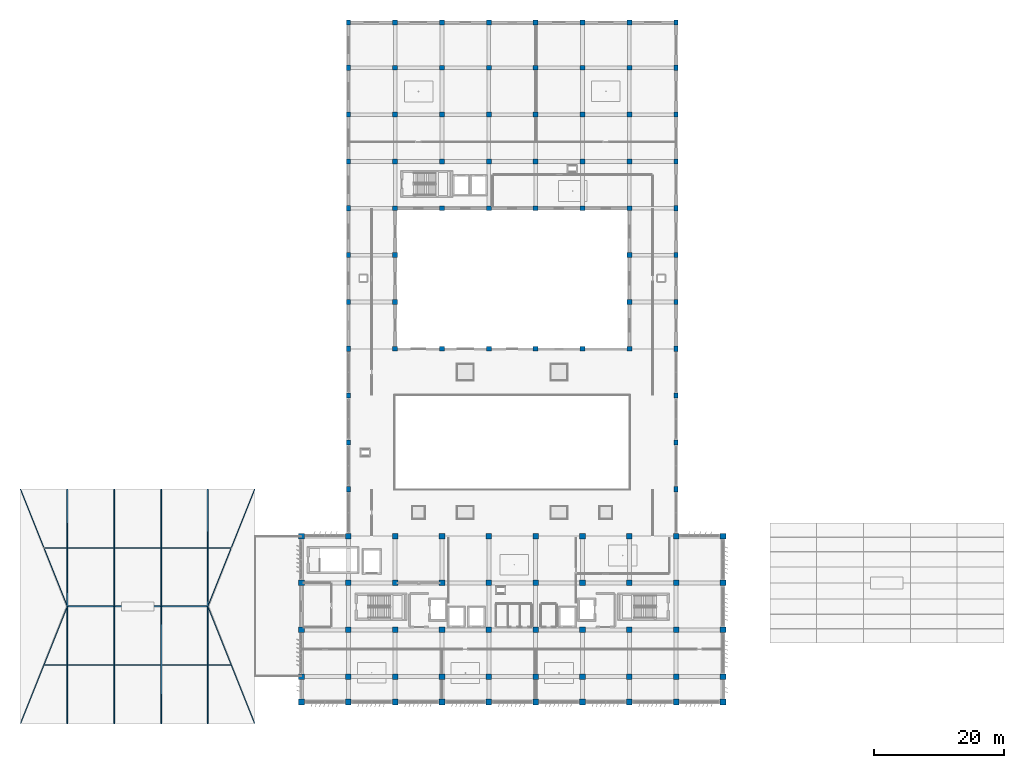
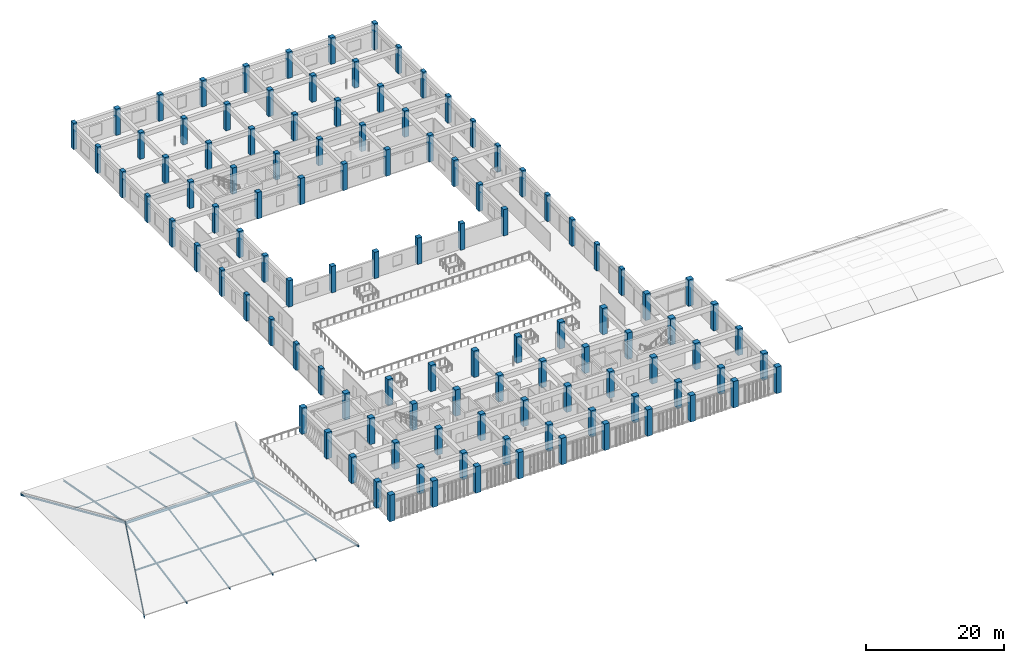
# One storey, part 1 of 55: 112 columns, 14 members, 1 beam.
"""IFC4 building model written with IfcOpenShell, lengths in metres."""

from ifc_helpers import new_model, si_unit, direction, frame, origin, origin_2d, place, context, subcontext, project, spatial, rectangle, hollow_circle, i_section, extrude, material, material_profile, profile_set, type_object, element, save


model = new_model("IFC4")

# Units and contexts
model_context = context("Model", 3, precision=1e-05, world=origin(), true_north=direction((0.0, 1.0)))
body_context = subcontext(model_context, "Body", "Model", "MODEL_VIEW")
ifc_project = project(units=[si_unit("LENGTHUNIT", "METRE"), si_unit("AREAUNIT", "SQUARE_METRE"), si_unit("VOLUMEUNIT", "CUBIC_METRE"), si_unit("PLANEANGLEUNIT", "RADIAN"), si_unit("MASSUNIT", "GRAM", prefix="KILO")], contexts=[model_context])

# Site, building, storey
site_placement = place(None, origin())
site = spatial("IfcSite", under=ifc_project, at=site_placement, CompositionType="ELEMENT")
building_placement = place(site_placement, origin())
building = spatial("IfcBuilding", under=site, at=building_placement, Name="Kazehaya Institute of Natural Sciences", CompositionType="ELEMENT")
storey_placement = place(building_placement, frame((0.0, 0.0, 15.1201171875)))
storey = spatial("IfcBuildingStorey", under=building, at=storey_placement, Name="L03", CompositionType="ELEMENT", Elevation=15.1201171875)

# Columns
ifc_material_1 = material(Name="Concrete Fc42", Category="concrete")
ifc_material_profile_1 = material_profile(ifc_material_1, rectangle(XDim=0.75, YDim=0.75, at=origin_2d()), Name="RC-750x750")
ifc_profile_set_1 = profile_set([ifc_material_profile_1], Name="Concrete Fc42")
column_type_1 = type_object("IfcColumnType", Name="COL-RC750", PredefinedType="COLUMN", material=ifc_profile_set_1)
for number, where, z_axis, x_axis, name in (
    (1, (69.0, 64.39990234375, 0.0), (0.0, 0.0, 1.0), (1.0, 0.0, 0.0), "L03 column COL-L03-0858"),
    (2, (76.199951171875, 64.39990234375, 0.0), (0.0, 0.0, 1.0), (1.0, 0.0, 0.0), "L03 column COL-L03-0859"),
    (3, (83.39990234375, 64.39990234375, 0.0), (0.0, 0.0, 1.0), (1.0, 0.0, 0.0), "L03 column COL-L03-0860"),
    (4, (90.60009765625, 64.39990234375, 0.0), (0.0, 0.0, 1.0), (1.0, 0.0, 0.0), "L03 column COL-L03-0861"),
    (5, (97.800048828125, 64.39990234375, 0.0), (0.0, 0.0, 1.0), (1.0, 0.0, 0.0), "L03 column COL-L03-0862"),
    (6, (105.0, 64.39990234375, 0.0), (0.0, 0.0, 1.0), (1.0, 0.0, 0.0), "L03 column COL-L03-0863"),
    (7, (69.0, 71.60009765625, 0.0), (0.0, 0.0, 1.0), (1.0, 0.0, 0.0), "L03 column COL-L03-0866"),
    (8, (105.0, 71.60009765625, 0.0), (0.0, 0.0, 1.0), (1.0, 0.0, 0.0), "L03 column COL-L03-0867"),
    (9, (69.0, 78.800048828125, 0.0), (0.0, 0.0, 1.0), (1.0, 0.0, 0.0), "L03 column COL-L03-0870"),
    (10, (105.0, 78.800048828125, 0.0), (0.0, 0.0, 1.0), (1.0, 0.0, 0.0), "L03 column COL-L03-0871"),
    (11, (69.0, 86.0, 0.0), (0.0, 0.0, 1.0), (1.0, 0.0, 0.0), "L03 column COL-L03-0874"),
    (12, (76.199951171875, 86.0, 0.0), (0.0, 0.0, 1.0), (1.0, 0.0, 0.0), "L03 column COL-L03-0875"),
    (13, (83.39990234375, 86.0, 0.0), (0.0, 0.0, 1.0), (1.0, 0.0, 0.0), "L03 column COL-L03-0876"),
    (14, (90.60009765625, 86.0, 0.0), (0.0, 0.0, 1.0), (1.0, 0.0, 0.0), "L03 column COL-L03-0877"),
    (15, (97.800048828125, 86.0, 0.0), (0.0, 0.0, 1.0), (1.0, 0.0, 0.0), "L03 column COL-L03-0878"),
    (16, (105.0, 86.0, 0.0), (0.0, 0.0, 1.0), (1.0, 0.0, 0.0), "L03 column COL-L03-0879"),
    (17, (69.0, 93.199951171875, 0.0), (0.0, 0.0, 1.0), (1.0, 0.0, 0.0), "L03 column COL-L03-0882"),
    (18, (76.199951171875, 93.199951171875, 0.0), (0.0, 0.0, 1.0), (1.0, 0.0, 0.0), "L03 column COL-L03-0883"),
    (19, (83.39990234375, 93.199951171875, 0.0), (0.0, 0.0, 1.0), (1.0, 0.0, 0.0), "L03 column COL-L03-0884"),
    (20, (90.60009765625, 93.199951171875, 0.0), (0.0, 0.0, 1.0), (1.0, 0.0, 0.0), "L03 column COL-L03-0885"),
    (21, (97.800048828125, 93.199951171875, 0.0), (0.0, 0.0, 1.0), (1.0, 0.0, 0.0), "L03 column COL-L03-0886"),
    (22, (105.0, 93.199951171875, 0.0), (0.0, 0.0, 1.0), (1.0, 0.0, 0.0), "L03 column COL-L03-0887"),
    (23, (69.0, 100.39990234375, 0.0), (0.0, 0.0, 1.0), (1.0, 0.0, 0.0), "L03 column COL-L03-0890"),
    (24, (76.199951171875, 100.39990234375, 0.0), (0.0, 0.0, 1.0), (1.0, 0.0, 0.0), "L03 column COL-L03-0891"),
    (25, (83.39990234375, 100.39990234375, 0.0), (0.0, 0.0, 1.0), (1.0, 0.0, 0.0), "L03 column COL-L03-0892"),
    (26, (90.60009765625, 100.39990234375, 0.0), (0.0, 0.0, 1.0), (1.0, 0.0, 0.0), "L03 column COL-L03-0893"),
    (27, (97.800048828125, 100.39990234375, 0.0), (0.0, 0.0, 1.0), (1.0, 0.0, 0.0), "L03 column COL-L03-0894"),
    (28, (105.0, 100.39990234375, 0.0), (0.0, 0.0, 1.0), (1.0, 0.0, 0.0), "L03 column COL-L03-0895"),
    (29, (69.0, 107.60009765625, 0.0), (0.0, 0.0, 1.0), (1.0, 0.0, 0.0), "L03 column COL-L03-0898"),
    (30, (76.199951171875, 107.60009765625, 0.0), (0.0, 0.0, 1.0), (1.0, 0.0, 0.0), "L03 column COL-L03-0899"),
    (31, (83.39990234375, 107.60009765625, 0.0), (0.0, 0.0, 1.0), (1.0, 0.0, 0.0), "L03 column COL-L03-0900"),
    (32, (90.60009765625, 107.60009765625, 0.0), (0.0, 0.0, 1.0), (1.0, 0.0, 0.0), "L03 column COL-L03-0901"),
    (33, (97.800048828125, 107.60009765625, 0.0), (0.0, 0.0, 1.0), (1.0, 0.0, 0.0), "L03 column COL-L03-0902"),
    (34, (105.0, 107.60009765625, 0.0), (0.0, 0.0, 1.0), (1.0, 0.0, 0.0), "L03 column COL-L03-0903"),
    (35, (69.0, 114.550048828125, 0.0), (0.0, 0.0, 1.0), (1.0, 0.0, 0.0), "L03 column COL-L03-0906"),
    (36, (76.199951171875, 114.550048828125, 0.0), (0.0, 0.0, 1.0), (1.0, 0.0, 0.0), "L03 column COL-L03-0907"),
    (37, (83.39990234375, 114.550048828125, 0.0), (0.0, 0.0, 1.0), (1.0, 0.0, 0.0), "L03 column COL-L03-0908"),
    (38, (90.60009765625, 114.550048828125, 0.0), (0.0, 0.0, 1.0), (1.0, 0.0, 0.0), "L03 column COL-L03-0909"),
    (39, (97.800048828125, 114.550048828125, 0.0), (0.0, 0.0, 1.0), (1.0, 0.0, 0.0), "L03 column COL-L03-0910"),
    (40, (105.0, 114.550048828125, 0.0), (0.0, 0.0, 1.0), (1.0, 0.0, 0.0), "L03 column COL-L03-0911"),
):
    element("IfcColumn", number, at=place(storey_placement, frame(where, z_axis=z_axis, x_axis=x_axis)), inside=storey, type_object=column_type_1, Name=name, PredefinedType="COLUMN", context=body_context, shape_type="SweptSolid", body=[
        extrude(rectangle(XDim=0.75, YDim=0.75, at=origin_2d()), origin(), (0.0, 0.0, 1.0), 4.679931640625),
    ])
ifc_material_profile_2 = material_profile(ifc_material_1, rectangle(XDim=0.60009765625, YDim=0.800048828125, at=origin_2d()), Name="RC-800x600")
ifc_profile_set_2 = profile_set([ifc_material_profile_2], Name="Concrete Fc42")
column_type_2 = type_object("IfcColumnType", Name="COL-RC800x600", PredefinedType="COLUMN", material=ifc_profile_set_2)
for number, where, z_axis, x_axis, name in (
    (41, (61.800048828125, 42.800048828125, 0.0), (0.0, 0.0, 1.0), (1.0, 0.0, 0.0), "L03 column COL-L03-0851"),
    (42, (112.199951171875, 42.800048828125, 0.0), (0.0, 0.0, 1.0), (1.0, 0.0, 0.0), "L03 column COL-L03-0852"),
    (43, (61.800048828125, 50.0, 0.0), (0.0, 0.0, 1.0), (1.0, 0.0, 0.0), "L03 column COL-L03-0853"),
    (44, (112.199951171875, 50.0, 0.0), (0.0, 0.0, 1.0), (1.0, 0.0, 0.0), "L03 column COL-L03-0854"),
    (45, (61.800048828125, 57.199951171875, 0.0), (0.0, 0.0, 1.0), (1.0, 0.0, 0.0), "L03 column COL-L03-0855"),
    (46, (112.199951171875, 57.199951171875, 0.0), (0.0, 0.0, 1.0), (1.0, 0.0, 0.0), "L03 column COL-L03-0856"),
    (47, (61.800048828125, 64.39990234375, 0.0), (0.0, 0.0, 1.0), (1.0, 0.0, 0.0), "L03 column COL-L03-0857"),
    (48, (112.199951171875, 64.39990234375, 0.0), (0.0, 0.0, 1.0), (1.0, 0.0, 0.0), "L03 column COL-L03-0864"),
    (49, (61.800048828125, 71.60009765625, 0.0), (0.0, 0.0, 1.0), (1.0, 0.0, 0.0), "L03 column COL-L03-0865"),
    (50, (112.199951171875, 71.60009765625, 0.0), (0.0, 0.0, 1.0), (1.0, 0.0, 0.0), "L03 column COL-L03-0868"),
    (51, (61.800048828125, 78.800048828125, 0.0), (0.0, 0.0, 1.0), (1.0, 0.0, 0.0), "L03 column COL-L03-0869"),
    (52, (112.199951171875, 78.800048828125, 0.0), (0.0, 0.0, 1.0), (1.0, 0.0, 0.0), "L03 column COL-L03-0872"),
    (53, (61.800048828125, 86.0, 0.0), (0.0, 0.0, 1.0), (1.0, 0.0, 0.0), "L03 column COL-L03-0873"),
    (54, (112.199951171875, 86.0, 0.0), (0.0, 0.0, 1.0), (1.0, 0.0, 0.0), "L03 column COL-L03-0880"),
    (55, (61.800048828125, 93.199951171875, 0.0), (0.0, 0.0, 1.0), (1.0, 0.0, 0.0), "L03 column COL-L03-0881"),
    (56, (112.199951171875, 93.199951171875, 0.0), (0.0, 0.0, 1.0), (1.0, 0.0, 0.0), "L03 column COL-L03-0888"),
    (57, (61.800048828125, 100.39990234375, 0.0), (0.0, 0.0, 1.0), (1.0, 0.0, 0.0), "L03 column COL-L03-0889"),
    (58, (112.199951171875, 100.39990234375, 0.0), (0.0, 0.0, 1.0), (1.0, 0.0, 0.0), "L03 column COL-L03-0896"),
    (59, (61.800048828125, 107.60009765625, 0.0), (0.0, 0.0, 1.0), (1.0, 0.0, 0.0), "L03 column COL-L03-0897"),
    (60, (112.199951171875, 107.60009765625, 0.0), (0.0, 0.0, 1.0), (1.0, 0.0, 0.0), "L03 column COL-L03-0904"),
    (61, (61.800048828125, 114.550048828125, 0.0), (0.0, 0.0, 1.0), (1.0, 0.0, 0.0), "L03 column COL-L03-0905"),
    (62, (112.199951171875, 114.550048828125, 0.0), (0.0, 0.0, 1.0), (1.0, 0.0, 0.0), "L03 column COL-L03-0912"),
):
    element("IfcColumn", number, at=place(storey_placement, frame(where, z_axis=z_axis, x_axis=x_axis)), inside=storey, type_object=column_type_2, Name=name, PredefinedType="COLUMN", context=body_context, shape_type="SweptSolid", body=[
        extrude(rectangle(XDim=0.60009765625, YDim=0.800048828125, at=origin_2d()), origin(), (0.0, 0.0, 1.0), 4.679931640625),
    ])
ifc_material_profile_3 = material_profile(ifc_material_1, rectangle(XDim=0.85009765625, YDim=0.85009765625, at=origin_2d()), Name="RC-850x850")
ifc_profile_set_3 = profile_set([ifc_material_profile_3], Name="Concrete Fc42")
column_type_3 = type_object("IfcColumnType", Name="COL-RC850", PredefinedType="COLUMN", material=ifc_profile_set_3)
for number, where, z_axis, x_axis, name in (
    (63, (54.60009765625, 10.10009765625, 0.0), (0.0, 0.0, 1.0), (1.0, 0.0, 0.0), "L03 column COL-L03-0801"),
    (64, (61.800048828125, 10.10009765625, 0.0), (0.0, 0.0, 1.0), (1.0, 0.0, 0.0), "L03 column COL-L03-0802"),
    (65, (69.0, 10.10009765625, 0.0), (0.0, 0.0, 1.0), (1.0, 0.0, 0.0), "L03 column COL-L03-0803"),
    (66, (76.199951171875, 10.10009765625, 0.0), (0.0, 0.0, 1.0), (1.0, 0.0, 0.0), "L03 column COL-L03-0804"),
    (67, (83.39990234375, 10.10009765625, 0.0), (0.0, 0.0, 1.0), (1.0, 0.0, 0.0), "L03 column COL-L03-0805"),
    (68, (90.60009765625, 10.10009765625, 0.0), (0.0, 0.0, 1.0), (1.0, 0.0, 0.0), "L03 column COL-L03-0806"),
    (69, (97.800048828125, 10.10009765625, 0.0), (0.0, 0.0, 1.0), (1.0, 0.0, 0.0), "L03 column COL-L03-0807"),
    (70, (105.0, 10.10009765625, 0.0), (0.0, 0.0, 1.0), (1.0, 0.0, 0.0), "L03 column COL-L03-0808"),
    (71, (112.199951171875, 10.10009765625, 0.0), (0.0, 0.0, 1.0), (1.0, 0.0, 0.0), "L03 column COL-L03-0809"),
    (72, (119.39990234375, 10.10009765625, 0.0), (0.0, 0.0, 1.0), (1.0, 0.0, 0.0), "L03 column COL-L03-0810"),
    (73, (54.60009765625, 14.0, 0.0), (0.0, 0.0, 1.0), (1.0, 0.0, 0.0), "L03 column COL-L03-0811"),
    (74, (61.800048828125, 14.0, 0.0), (0.0, 0.0, 1.0), (1.0, 0.0, 0.0), "L03 column COL-L03-0812"),
    (75, (69.0, 14.0, 0.0), (0.0, 0.0, 1.0), (1.0, 0.0, 0.0), "L03 column COL-L03-0813"),
    (76, (76.199951171875, 14.0, 0.0), (0.0, 0.0, 1.0), (1.0, 0.0, 0.0), "L03 column COL-L03-0814"),
    (77, (83.39990234375, 14.0, 0.0), (0.0, 0.0, 1.0), (1.0, 0.0, 0.0), "L03 column COL-L03-0815"),
    (78, (90.60009765625, 14.0, 0.0), (0.0, 0.0, 1.0), (1.0, 0.0, 0.0), "L03 column COL-L03-0816"),
    (79, (97.800048828125, 14.0, 0.0), (0.0, 0.0, 1.0), (1.0, 0.0, 0.0), "L03 column COL-L03-0817"),
    (80, (105.0, 14.0, 0.0), (0.0, 0.0, 1.0), (1.0, 0.0, 0.0), "L03 column COL-L03-0818"),
    (81, (112.199951171875, 14.0, 0.0), (0.0, 0.0, 1.0), (1.0, 0.0, 0.0), "L03 column COL-L03-0819"),
    (82, (119.39990234375, 14.0, 0.0), (0.0, 0.0, 1.0), (1.0, 0.0, 0.0), "L03 column COL-L03-0820"),
    (83, (54.60009765625, 21.199951171875, 0.0), (0.0, 0.0, 1.0), (1.0, 0.0, 0.0), "L03 column COL-L03-0821"),
    (84, (61.800048828125, 21.199951171875, 0.0), (0.0, 0.0, 1.0), (1.0, 0.0, 0.0), "L03 column COL-L03-0822"),
    (85, (69.0, 21.199951171875, 0.0), (0.0, 0.0, 1.0), (1.0, 0.0, 0.0), "L03 column COL-L03-0823"),
    (86, (76.199951171875, 21.199951171875, 0.0), (0.0, 0.0, 1.0), (1.0, 0.0, 0.0), "L03 column COL-L03-0824"),
    (87, (83.39990234375, 21.199951171875, 0.0), (0.0, 0.0, 1.0), (1.0, 0.0, 0.0), "L03 column COL-L03-0825"),
    (88, (90.60009765625, 21.199951171875, 0.0), (0.0, 0.0, 1.0), (1.0, 0.0, 0.0), "L03 column COL-L03-0826"),
    (89, (97.800048828125, 21.199951171875, 0.0), (0.0, 0.0, 1.0), (1.0, 0.0, 0.0), "L03 column COL-L03-0827"),
    (90, (105.0, 21.199951171875, 0.0), (0.0, 0.0, 1.0), (1.0, 0.0, 0.0), "L03 column COL-L03-0828"),
    (91, (112.199951171875, 21.199951171875, 0.0), (0.0, 0.0, 1.0), (1.0, 0.0, 0.0), "L03 column COL-L03-0829"),
    (92, (119.39990234375, 21.199951171875, 0.0), (0.0, 0.0, 1.0), (1.0, 0.0, 0.0), "L03 column COL-L03-0830"),
    (93, (54.60009765625, 28.39990234375, 0.0), (0.0, 0.0, 1.0), (1.0, 0.0, 0.0), "L03 column COL-L03-0831"),
    (94, (61.800048828125, 28.39990234375, 0.0), (0.0, 0.0, 1.0), (1.0, 0.0, 0.0), "L03 column COL-L03-0832"),
    (95, (69.0, 28.39990234375, 0.0), (0.0, 0.0, 1.0), (1.0, 0.0, 0.0), "L03 column COL-L03-0833"),
    (96, (76.199951171875, 28.39990234375, 0.0), (0.0, 0.0, 1.0), (1.0, 0.0, 0.0), "L03 column COL-L03-0834"),
    (97, (83.39990234375, 28.39990234375, 0.0), (0.0, 0.0, 1.0), (1.0, 0.0, 0.0), "L03 column COL-L03-0835"),
    (98, (90.60009765625, 28.39990234375, 0.0), (0.0, 0.0, 1.0), (1.0, 0.0, 0.0), "L03 column COL-L03-0836"),
    (99, (97.800048828125, 28.39990234375, 0.0), (0.0, 0.0, 1.0), (1.0, 0.0, 0.0), "L03 column COL-L03-0837"),
    (100, (105.0, 28.39990234375, 0.0), (0.0, 0.0, 1.0), (1.0, 0.0, 0.0), "L03 column COL-L03-0838"),
    (101, (112.199951171875, 28.39990234375, 0.0), (0.0, 0.0, 1.0), (1.0, 0.0, 0.0), "L03 column COL-L03-0839"),
    (102, (119.39990234375, 28.39990234375, 0.0), (0.0, 0.0, 1.0), (1.0, 0.0, 0.0), "L03 column COL-L03-0840"),
    (103, (54.60009765625, 35.60009765625, 0.0), (0.0, 0.0, 1.0), (1.0, 0.0, 0.0), "L03 column COL-L03-0841"),
    (104, (61.800048828125, 35.60009765625, 0.0), (0.0, 0.0, 1.0), (1.0, 0.0, 0.0), "L03 column COL-L03-0842"),
    (105, (69.0, 35.60009765625, 0.0), (0.0, 0.0, 1.0), (1.0, 0.0, 0.0), "L03 column COL-L03-0843"),
    (106, (76.199951171875, 35.60009765625, 0.0), (0.0, 0.0, 1.0), (1.0, 0.0, 0.0), "L03 column COL-L03-0844"),
    (107, (83.39990234375, 35.60009765625, 0.0), (0.0, 0.0, 1.0), (1.0, 0.0, 0.0), "L03 column COL-L03-0845"),
    (108, (90.60009765625, 35.60009765625, 0.0), (0.0, 0.0, 1.0), (1.0, 0.0, 0.0), "L03 column COL-L03-0846"),
    (109, (97.800048828125, 35.60009765625, 0.0), (0.0, 0.0, 1.0), (1.0, 0.0, 0.0), "L03 column COL-L03-0847"),
    (110, (105.0, 35.60009765625, 0.0), (0.0, 0.0, 1.0), (1.0, 0.0, 0.0), "L03 column COL-L03-0848"),
    (111, (112.199951171875, 35.60009765625, 0.0), (0.0, 0.0, 1.0), (1.0, 0.0, 0.0), "L03 column COL-L03-0849"),
    (112, (119.39990234375, 35.60009765625, 0.0), (0.0, 0.0, 1.0), (1.0, 0.0, 0.0), "L03 column COL-L03-0850"),
):
    element("IfcColumn", number, at=place(storey_placement, frame(where, z_axis=z_axis, x_axis=x_axis)), inside=storey, type_object=column_type_3, Name=name, PredefinedType="COLUMN", context=body_context, shape_type="SweptSolid", body=[
        extrude(rectangle(XDim=0.85009765625, YDim=0.85009765625, at=origin_2d()), origin(), (0.0, 0.0, 1.0), 4.679931640625),
    ])

# Beam
ifc_material_2 = material(Name="Structural steel SN490B", Category="steel")
ifc_material_profile_4 = material_profile(ifc_material_2, i_section(OverallWidth=0.199951171875, OverallDepth=0.449951171875, WebThickness=0.009033203125, FlangeThickness=0.013916015625, FilletRadius=0.01611328125, at=origin_2d()), Name="H-450x200x9x14")
ifc_profile_set_4 = profile_set([ifc_material_profile_4], Name="Structural steel SN490B")
beam_type = type_object("IfcBeamType", Name="BM-STL-H450", PredefinedType="BEAM", material=ifc_profile_set_4)
beam_placement = place(storey_placement, frame((18.60009765625, 24.800048828125, 3.119873046875), z_axis=(1.0, 0.0, 0.0), x_axis=(0.0, 1.0, 0.0)))
element("IfcBeam", 113, at=beam_placement, inside=storey, type_object=beam_type, Name="ROOF-VOL3 steel ridge girder", PredefinedType="BEAM", context=body_context, shape_type="SweptSolid", body=[
    extrude(i_section(OverallWidth=0.199951171875, OverallDepth=0.449951171875, WebThickness=0.009033203125, FlangeThickness=0.013916015625, FilletRadius=0.01611328125, at=origin_2d()), origin(), (0.0, 0.0, 1.0), 21.599853515625),
])

# Members
ifc_material_profile_5 = material_profile(ifc_material_2, hollow_circle(Radius=0.08251953125, WallThickness=0.006103515625, at=origin_2d()), Name="CHS-165.2x6.0")
ifc_profile_set_5 = profile_set([ifc_material_profile_5], Name="Structural steel SN490B")
member_type_1 = type_object("IfcMemberType", Name="MEM-PUR-CHS165", PredefinedType="PURLIN", material=ifc_profile_set_5)
member_1_placement = place(storey_placement, frame((15.0, 33.800048828125, 1.429931640625), z_axis=(1.0, 0.0, 0.0), x_axis=(0.0, 1.0, 0.0)))
element("IfcMember", 114, at=member_1_placement, inside=storey, type_object=member_type_1, Name="ROOF-VOL3 roof purlin 2", PredefinedType="PURLIN", context=body_context, shape_type="SweptSolid", body=[
    extrude(hollow_circle(Radius=0.08251953125, WallThickness=0.006103515625, at=origin_2d()), origin(), (0.0, 0.0, 1.0), 28.800048828125),
])
ifc_material_profile_6 = material_profile(ifc_material_2, i_section(OverallWidth=0.10009765625, OverallDepth=0.199951171875, WebThickness=0.005615234375, FlangeThickness=0.008056640625, FilletRadius=0.008056640625, at=origin_2d()), Name="H-200x100x5.5x8")
ifc_profile_set_6 = profile_set([ifc_material_profile_6], Name="Structural steel SN490B")
member_type_2 = type_object("IfcMemberType", Name="MEM-PUR-H200", PredefinedType="PURLIN", material=ifc_profile_set_6)
member_2_placement = place(storey_placement, frame((15.0, 15.800048828125, 1.429931640625), z_axis=(1.0, 0.0, 0.0), x_axis=(0.0, 1.0, 0.0)))
element("IfcMember", 115, at=member_2_placement, inside=storey, type_object=member_type_2, Name="ROOF-VOL3 roof purlin 1", PredefinedType="PURLIN", context=body_context, shape_type="SweptSolid", body=[
    extrude(i_section(OverallWidth=0.10009765625, OverallDepth=0.199951171875, WebThickness=0.005615234375, FlangeThickness=0.008056640625, FilletRadius=0.008056640625, at=origin_2d()), origin(), (0.0, 0.0, 1.0), 28.800048828125),
])
ifc_material_profile_7 = material_profile(ifc_material_2, i_section(OverallWidth=0.125, OverallDepth=0.25, WebThickness=0.006103515625, FlangeThickness=0.009033203125, FilletRadius=0.010009765625, at=origin_2d()), Name="H-250x125x6x9")
ifc_profile_set_7 = profile_set([ifc_material_profile_7], Name="Structural steel SN490B")
member_type_3 = type_object("IfcMemberType", Name="MEM-RAF-H250", PredefinedType="RAFTER", material=ifc_profile_set_7)
for number, where, z_axis, x_axis, name in (
    (116, (25.800048828125, 6.800048828125, -0.25), (0.0, 0.982922860661, 0.184018069739), (-1.0, 0.0, 0.0), "ROOF-VOL3 roof truss rafter 7"),
    (117, (25.800048828125, 42.800048828125, -0.25), (0.0, -0.982922860661, 0.184018069739), (1.0, 0.0, 0.0), "ROOF-VOL3 roof truss rafter 8"),
    (118, (40.199951171875, 6.800048828125, -0.25), (0.0, 0.982922860661, 0.184018069739), (-1.0, 0.0, 0.0), "ROOF-VOL3 roof truss rafter 11"),
    (119, (40.199951171875, 42.800048828125, -0.25), (0.0, -0.982922860661, 0.184018069739), (1.0, 0.0, 0.0), "ROOF-VOL3 roof truss rafter 12"),
):
    element("IfcMember", number, at=place(storey_placement, frame(where, z_axis=z_axis, x_axis=x_axis)), inside=storey, type_object=member_type_3, Name=name, PredefinedType="RAFTER", context=body_context, shape_type="SweptSolid", body=[
        extrude(i_section(OverallWidth=0.125, OverallDepth=0.25, WebThickness=0.006103515625, FlangeThickness=0.009033203125, FilletRadius=0.010009765625, at=origin_2d()), origin(), (0.0, 0.0, 1.0), 18.312744140625),
    ])
ifc_material_profile_8 = material_profile(ifc_material_2, i_section(OverallWidth=0.14990234375, OverallDepth=0.300048828125, WebThickness=0.006591796875, FlangeThickness=0.009033203125, FilletRadius=0.012939453125, at=origin_2d()), Name="H-300x150x6.5x9")
ifc_profile_set_8 = profile_set([ifc_material_profile_8], Name="Structural steel SN490B")
member_type_4 = type_object("IfcMemberType", Name="MEM-RAF-H300", PredefinedType="RAFTER", material=ifc_profile_set_8)
for number, where, z_axis, x_axis, name in (
    (120, (11.39990234375, 6.800048828125, -0.25), (0.365912498542, 0.914756431999, 0.171256280258), (-0.928473216852, 0.37139936132, 0.0), "ROOF-VOL3 corner hip rafter SW"),
    (121, (11.39990234375, 42.800048828125, -0.25), (0.365912498542, -0.914756431999, 0.171256280258), (0.928473216852, 0.37139936132, 0.0), "ROOF-VOL3 corner hip rafter NW"),
):
    element("IfcMember", number, at=place(storey_placement, frame(where, z_axis=z_axis, x_axis=x_axis)), inside=storey, type_object=member_type_4, Name=name, PredefinedType="RAFTER", context=body_context, shape_type="SweptSolid", body=[
        extrude(i_section(OverallWidth=0.14990234375, OverallDepth=0.300048828125, WebThickness=0.006591796875, FlangeThickness=0.009033203125, FilletRadius=0.012939453125, at=origin_2d()), origin(), (0.0, 0.0, 1.0), 19.677490234375),
    ])
for number, where, z_axis, x_axis, name in (
    (122, (47.39990234375, 6.800048828125, -0.25), (-0.365901752512, 0.914760584897, 0.171257057744), (-0.928477559385, -0.371388505097, 0.0), "ROOF-VOL3 corner hip rafter SE"),
    (123, (47.39990234375, 42.800048828125, -0.25), (-0.365901752512, -0.914760584897, 0.171257057744), (0.928477559385, -0.371388505097, 0.0), "ROOF-VOL3 corner hip rafter NE"),
):
    element("IfcMember", number, at=place(storey_placement, frame(where, z_axis=z_axis, x_axis=x_axis)), inside=storey, type_object=member_type_4, Name=name, PredefinedType="RAFTER", context=body_context, shape_type="SweptSolid", body=[
        extrude(i_section(OverallWidth=0.14990234375, OverallDepth=0.300048828125, WebThickness=0.006591796875, FlangeThickness=0.009033203125, FilletRadius=0.012939453125, at=origin_2d()), origin(), (0.0, 0.0, 1.0), 19.67724609375),
    ])
for number, where, z_axis, x_axis, name in (
    (124, (18.60009765625, 6.800048828125, -0.25), (0.0, 0.982922860661, 0.184018069739), (-1.0, 0.0, 0.0), "ROOF-VOL3 roof truss rafter 5"),
    (125, (18.60009765625, 42.800048828125, -0.25), (0.0, -0.982922860661, 0.184018069739), (1.0, 0.0, 0.0), "ROOF-VOL3 roof truss rafter 6"),
    (126, (33.0, 6.800048828125, -0.25), (0.0, 0.982922860661, 0.184018069739), (-1.0, 0.0, 0.0), "ROOF-VOL3 roof truss rafter 9"),
    (127, (33.0, 42.800048828125, -0.25), (0.0, -0.982922860661, 0.184018069739), (1.0, 0.0, 0.0), "ROOF-VOL3 roof truss rafter 10"),
):
    element("IfcMember", number, at=place(storey_placement, frame(where, z_axis=z_axis, x_axis=x_axis)), inside=storey, type_object=member_type_4, Name=name, PredefinedType="RAFTER", context=body_context, shape_type="SweptSolid", body=[
        extrude(i_section(OverallWidth=0.14990234375, OverallDepth=0.300048828125, WebThickness=0.006591796875, FlangeThickness=0.009033203125, FilletRadius=0.012939453125, at=origin_2d()), origin(), (0.0, 0.0, 1.0), 18.312744140625),
    ])

save(model, "model.ifc")
